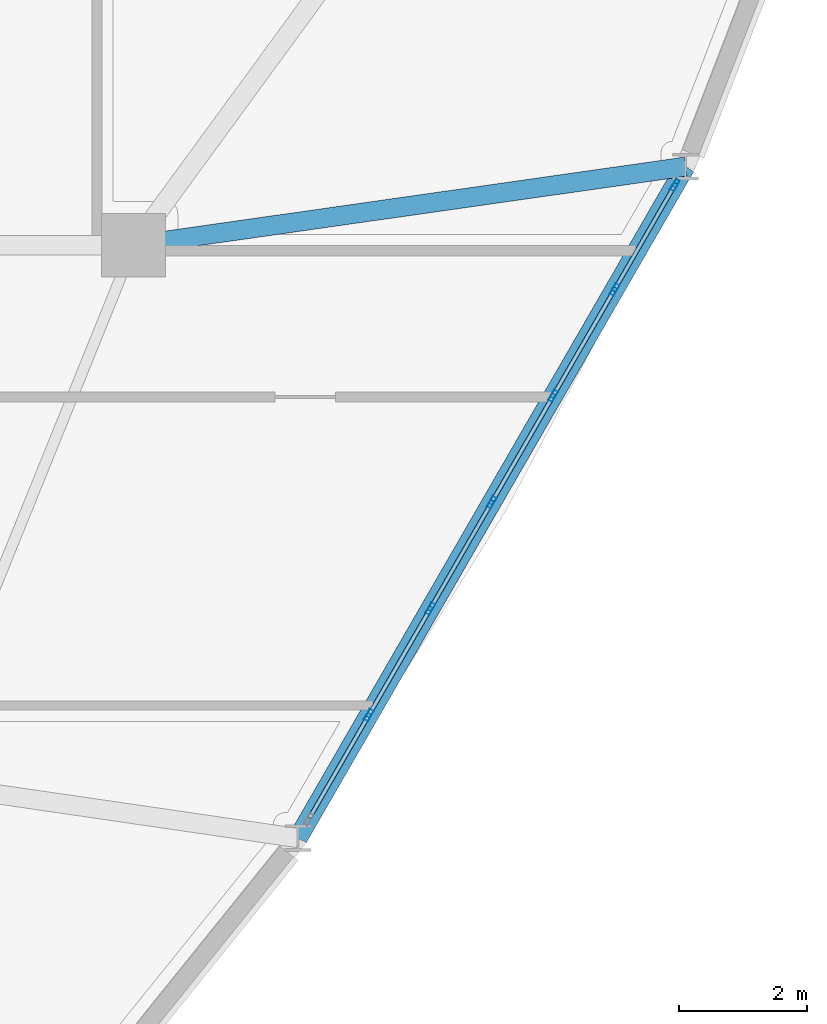
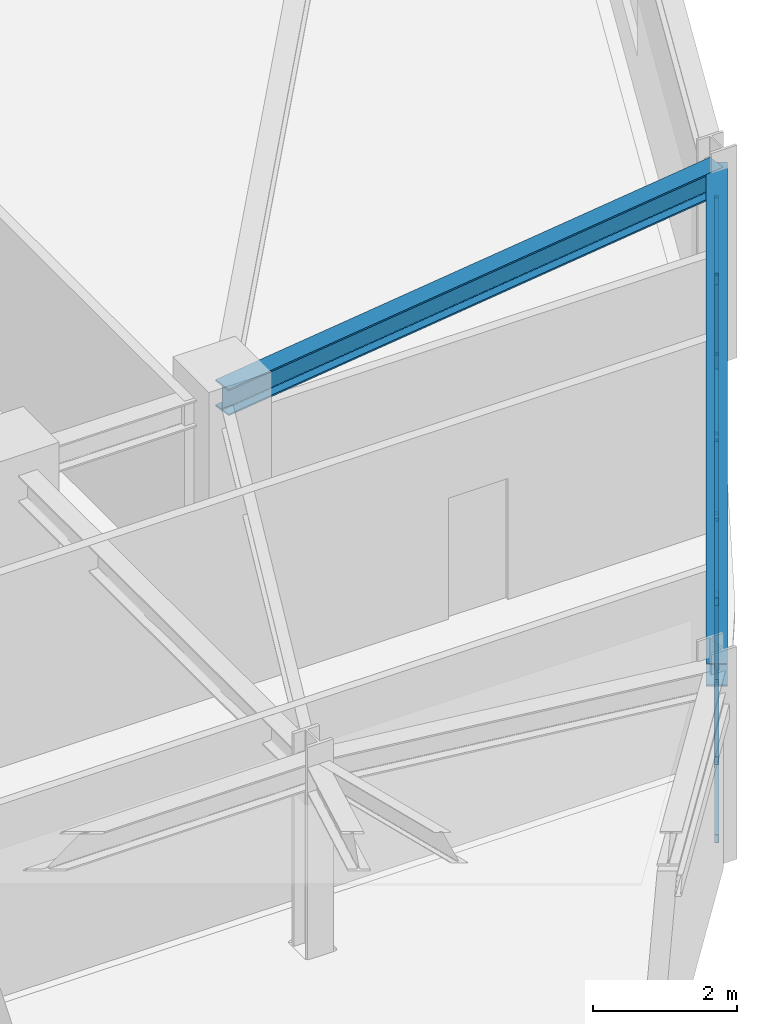
# One storey, part 7 of 16: 20 members, 2 beams, 1 element without a shape of its own.
"""IFC4 building model written with IfcOpenShell, lengths in metres."""

from ifc_helpers import new_model, si_unit, derived_unit, direction, frame, origin, origin_2d, place, context, subcontext, project, spatial, hollow_rectangle, i_section, extrude, source, transform, mapped, material, layer, layer_set, material_profile, profile_set, type_object, element, aggregate, save


model = new_model("IFC4")

# Units and contexts
model_context = context("Model", 3, precision=1e-05, world=origin(), true_north=direction((0.0, 1.0)))
body_context = subcontext(model_context, "Body", "Model", "MODEL_VIEW")
ifc_project = project(units=[si_unit("LENGTHUNIT", "METRE"), si_unit("AREAUNIT", "SQUARE_METRE"), si_unit("VOLUMEUNIT", "CUBIC_METRE"), si_unit("PLANEANGLEUNIT", "RADIAN"), si_unit("MASSUNIT", "GRAM", prefix="KILO"), derived_unit("THERMALTRANSMITTANCEUNIT", [(si_unit("POWERUNIT", "WATT"), 1), (si_unit("LENGTHUNIT", "METRE"), -2), (si_unit("THERMODYNAMICTEMPERATUREUNIT", "KELVIN"), -1)])], contexts=[model_context])

# Site, building, storey
site_placement = place(None, origin())
site = spatial("IfcSite", under=ifc_project, at=site_placement, CompositionType="ELEMENT")
building_placement = place(site_placement, origin())
building = spatial("IfcBuilding", under=site, at=building_placement, Name="Korsvarv Bourse and Concert Hall", CompositionType="ELEMENT")
storey_placement = place(building_placement, frame((0.0, 0.0, 234.60009765625)))
storey = spatial("IfcBuildingStorey", under=building, at=storey_placement, Name="L61", CompositionType="ELEMENT", Elevation=234.60009765625)

# Beams
ifc_material_1 = material(Name="Steel S355", Category="steel")
ifc_material_profile_1 = material_profile(ifc_material_1, i_section(OverallWidth=0.300048828125, OverallDepth=0.389892578125, WebThickness=0.010986328125, FlangeThickness=0.01904296875, FilletRadius=0.02099609375, at=origin_2d()), Name="HEA 400")
ifc_profile_set_1 = profile_set([ifc_material_profile_1], Name="Steel S355")
beam_type_1 = type_object("IfcBeamType", Name="BM-HEA400", PredefinedType="BEAM", material=ifc_profile_set_1)
shared_shape_1 = source(origin(), body_context, "Body", "SweptSolid", [
    extrude(i_section(OverallWidth=0.300048828125, OverallDepth=0.389892578125, WebThickness=0.010986328125, FlangeThickness=0.01904296875, FilletRadius=0.02099609375, at=origin_2d()), origin(), (0.0, 0.0, 1.0), 12.12353515625),
])
beam_1_placement = place(storey_placement, frame((50.368408203125, 23.1298828125, 3.06494140625), z_axis=(0.500000780442, 0.866024953196, 0.0), x_axis=(-0.866024953196, 0.500000780442, 0.0)))
element("IfcBeam", 1, at=beam_1_placement, inside=storey, type_object=beam_type_1, Name="L61 beam B-11", PredefinedType="BEAM", context=body_context, shape_type="MappedRepresentation", body=[
    mapped(shared_shape_1, transform((0.0, 0.0, 0.0), scale=1.0)),
])
ifc_material_profile_2 = material_profile(ifc_material_1, i_section(OverallWidth=0.300048828125, OverallDepth=0.449951171875, WebThickness=0.013916015625, FlangeThickness=0.02587890625, FilletRadius=0.02099609375, at=origin_2d()), Name="HEB 450")
ifc_profile_set_2 = profile_set([ifc_material_profile_2], Name="Steel S355")
beam_type_2 = type_object("IfcBeamType", Name="BM-HEB450", PredefinedType="SPANDREL", material=ifc_profile_set_2)
shared_shape_2 = source(origin(), body_context, "Body", "SweptSolid", [
    extrude(i_section(OverallWidth=0.300048828125, OverallDepth=0.449951171875, WebThickness=0.013916015625, FlangeThickness=0.02587890625, FilletRadius=0.02099609375, at=origin_2d()), origin(), (0.0, 0.0, 1.0), 8.71728515625),
])
beam_2_placement = place(storey_placement, frame((56.43017578125, 33.629150390625, 3.034912109375), z_axis=(-0.990007663543, -0.141013567171, 0.0), x_axis=(0.141013567171, -0.990007663543, 0.0)))
element("IfcBeam", 2, at=beam_2_placement, inside=storey, type_object=beam_type_2, Name="L61 beam B-08", PredefinedType="SPANDREL", context=body_context, shape_type="MappedRepresentation", body=[
    mapped(shared_shape_2, transform((0.0, 0.0, 0.0), scale=1.0)),
])

# Curtain wall, members
ifc_material_2 = material(Name="Anodised aluminium and triple low-E glazing", Category="glass")
ifc_layer = layer(ifc_material_2, 0.199951171875)
ifc_layer_set = layer_set([ifc_layer], Name="Anodised aluminium and triple low-E glazing")
curtain_wall_type = type_object("IfcCurtainWallType", Name="CW-SYS-3", PredefinedType="NOTDEFINED", material=ifc_layer_set)
curtain_wall_placement = place(storey_placement, origin())
curtain_wall = element("IfcCurtainWall", 3, at=curtain_wall_placement, inside=storey, type_object=curtain_wall_type, Name="L61 CW3 curtain wall CW-L61-F11", PredefinedType="NOTDEFINED")
ifc_material_3 = material(Name="Extruded aluminium EN AW-6063 T66", Category="aluminium")
ifc_material_profile_3 = material_profile(ifc_material_3, hollow_rectangle(XDim=0.06494140625, YDim=0.139892578125, WallThickness=0.00390625, at=origin_2d()), Name="ALU-T 65x140")
ifc_profile_set_3 = profile_set([ifc_material_profile_3], Name="Extruded aluminium EN AW-6063 T66")
member_type_1 = type_object("IfcMemberType", Name="CWT-140", PredefinedType="USERDEFINED", material=ifc_profile_set_3)
shared_shape_3 = source(origin(), body_context, "Body", "SweptSolid", [
    extrude(hollow_rectangle(XDim=0.06494140625, YDim=0.139892578125, WallThickness=0.00390625, at=origin_2d()), origin(), (0.0, 0.0, 1.0), 1.81640625),
])
member_1_placement = place(storey_placement, frame((50.55224609375, 23.448486328125, 0.032470703125), z_axis=(0.500013328483, 0.866017708445, 0.0), x_axis=(-0.866017708445, 0.500013328483, 0.0)))
member_1 = element("IfcMember", 4, at=member_1_placement, type_object=member_type_1, Name="CW3 transom 1.1", ObjectType="TRANSOM", PredefinedType="USERDEFINED", context=body_context, shape_type="MappedRepresentation", body=[
    mapped(shared_shape_3, transform((0.0, 0.0, 0.0), scale=1.0)),
])
member_2_placement = place(storey_placement, frame((50.55224609375, 23.448486328125, 2.83740234375), z_axis=(0.500013328483, 0.866017708445, 0.0), x_axis=(-0.866017708445, 0.500013328483, 0.0)))
member_2 = element("IfcMember", 5, at=member_2_placement, type_object=member_type_1, Name="CW3 transom 1.2", ObjectType="TRANSOM", PredefinedType="USERDEFINED", context=body_context, shape_type="MappedRepresentation", body=[
    mapped(shared_shape_3, transform((0.0, 0.0, 0.0), scale=1.0)),
])
member_3_placement = place(storey_placement, frame((55.337890625, 31.737548828125, 0.032470703125), z_axis=(0.500013328483, 0.866017708445, 0.0), x_axis=(-0.866017708445, 0.500013328483, 0.0)))
member_3 = element("IfcMember", 6, at=member_3_placement, type_object=member_type_1, Name="CW3 transom 6.1", ObjectType="TRANSOM", PredefinedType="USERDEFINED", context=body_context, shape_type="MappedRepresentation", body=[
    mapped(shared_shape_3, transform((0.0, 0.0, 0.0), scale=1.0)),
])
member_4_placement = place(storey_placement, frame((55.337890625, 31.737548828125, 2.83740234375), z_axis=(0.500013328483, 0.866017708445, 0.0), x_axis=(-0.866017708445, 0.500013328483, 0.0)))
member_4 = element("IfcMember", 7, at=member_4_placement, type_object=member_type_1, Name="CW3 transom 6.2", ObjectType="TRANSOM", PredefinedType="USERDEFINED", context=body_context, shape_type="MappedRepresentation", body=[
    mapped(shared_shape_3, transform((0.0, 0.0, 0.0), scale=1.0)),
])
shared_shape_4 = source(origin(), body_context, "Body", "SweptSolid", [
    extrude(hollow_rectangle(XDim=0.06494140625, YDim=0.139892578125, WallThickness=0.00390625, at=origin_2d()), origin(), (0.0, 0.0, 1.0), 1.851318359375),
])
member_5_placement = place(storey_placement, frame((51.495361328125, 25.08203125, 0.032470703125), z_axis=(0.500053484023, 0.865994522568, 0.0), x_axis=(-0.865994522568, 0.500053484023, 0.0)))
member_5 = element("IfcMember", 8, at=member_5_placement, type_object=member_type_1, Name="CW3 transom 2.1", ObjectType="TRANSOM", PredefinedType="USERDEFINED", context=body_context, shape_type="MappedRepresentation", body=[
    mapped(shared_shape_4, transform((0.0, 0.0, 0.0), scale=1.0)),
])
member_6_placement = place(storey_placement, frame((51.495361328125, 25.08203125, 2.83740234375), z_axis=(0.500053484023, 0.865994522568, 0.0), x_axis=(-0.865994522568, 0.500053484023, 0.0)))
member_6 = element("IfcMember", 9, at=member_6_placement, type_object=member_type_1, Name="CW3 transom 2.2", ObjectType="TRANSOM", PredefinedType="USERDEFINED", context=body_context, shape_type="MappedRepresentation", body=[
    mapped(shared_shape_4, transform((0.0, 0.0, 0.0), scale=1.0)),
])
member_7_placement = place(storey_placement, frame((52.4560546875, 26.745849609375, 0.032470703125), z_axis=(0.49995457831, 0.866051626421, 0.0), x_axis=(-0.866051626421, 0.49995457831, 0.0)))
member_7 = element("IfcMember", 10, at=member_7_placement, type_object=member_type_1, Name="CW3 transom 3.1", ObjectType="TRANSOM", PredefinedType="USERDEFINED", context=body_context, shape_type="MappedRepresentation", body=[
    mapped(shared_shape_4, transform((0.0, 0.0, 0.0), scale=1.0)),
])
member_8_placement = place(storey_placement, frame((52.4560546875, 26.745849609375, 2.83740234375), z_axis=(0.49995457831, 0.866051626421, 0.0), x_axis=(-0.866051626421, 0.49995457831, 0.0)))
member_8 = element("IfcMember", 11, at=member_8_placement, type_object=member_type_1, Name="CW3 transom 3.2", ObjectType="TRANSOM", PredefinedType="USERDEFINED", context=body_context, shape_type="MappedRepresentation", body=[
    mapped(shared_shape_4, transform((0.0, 0.0, 0.0), scale=1.0)),
])
member_9_placement = place(storey_placement, frame((53.416748046875, 28.40966796875, 0.032470703125), z_axis=(0.49995457831, 0.866051626421, 0.0), x_axis=(-0.866051626421, 0.49995457831, 0.0)))
member_9 = element("IfcMember", 12, at=member_9_placement, type_object=member_type_1, Name="CW3 transom 4.1", ObjectType="TRANSOM", PredefinedType="USERDEFINED", context=body_context, shape_type="MappedRepresentation", body=[
    mapped(shared_shape_4, transform((0.0, 0.0, 0.0), scale=1.0)),
])
member_10_placement = place(storey_placement, frame((53.416748046875, 28.40966796875, 2.83740234375), z_axis=(0.49995457831, 0.866051626421, 0.0), x_axis=(-0.866051626421, 0.49995457831, 0.0)))
member_10 = element("IfcMember", 13, at=member_10_placement, type_object=member_type_1, Name="CW3 transom 4.2", ObjectType="TRANSOM", PredefinedType="USERDEFINED", context=body_context, shape_type="MappedRepresentation", body=[
    mapped(shared_shape_4, transform((0.0, 0.0, 0.0), scale=1.0)),
])
member_11_placement = place(storey_placement, frame((54.37744140625, 30.07373046875, 0.032470703125), z_axis=(0.49995457831, 0.866051626421, 0.0), x_axis=(-0.866051626421, 0.49995457831, 0.0)))
member_11 = element("IfcMember", 14, at=member_11_placement, type_object=member_type_1, Name="CW3 transom 5.1", ObjectType="TRANSOM", PredefinedType="USERDEFINED", context=body_context, shape_type="MappedRepresentation", body=[
    mapped(shared_shape_4, transform((0.0, 0.0, 0.0), scale=1.0)),
])
member_12_placement = place(storey_placement, frame((54.37744140625, 30.07373046875, 2.83740234375), z_axis=(0.49995457831, 0.866051626421, 0.0), x_axis=(-0.866051626421, 0.49995457831, 0.0)))
member_12 = element("IfcMember", 15, at=member_12_placement, type_object=member_type_1, Name="CW3 transom 5.2", ObjectType="TRANSOM", PredefinedType="USERDEFINED", context=body_context, shape_type="MappedRepresentation", body=[
    mapped(shared_shape_4, transform((0.0, 0.0, 0.0), scale=1.0)),
])
ifc_material_profile_4 = material_profile(ifc_material_3, hollow_rectangle(XDim=0.070068359375, YDim=0.18994140625, WallThickness=0.0048828125, at=origin_2d()), Name="ALU-M 70x190")
ifc_profile_set_4 = profile_set([ifc_material_profile_4], Name="Extruded aluminium EN AW-6063 T66")
member_type_2 = type_object("IfcMemberType", Name="CWM-190", PredefinedType="MULLION", material=ifc_profile_set_4)
shared_shape_5 = source(origin(), body_context, "Body", "SweptSolid", [
    extrude(hollow_rectangle(XDim=0.070068359375, YDim=0.18994140625, WallThickness=0.0048828125, at=origin_2d()), origin(), (0.0, 0.0, 1.0), 2.869873046875),
])
member_13_placement = place(storey_placement, frame((51.47802734375, 25.0517578125, 0.0), z_axis=(0.0, 0.0, 1.0), x_axis=(-0.86602769294, 0.499996035044, 0.0)))
member_13 = element("IfcMember", 16, at=member_13_placement, type_object=member_type_2, Name="CW3 mullion 2", PredefinedType="MULLION", context=body_context, shape_type="MappedRepresentation", body=[
    mapped(shared_shape_5, transform((0.0, 0.0, 0.0), scale=1.0)),
])
member_14_placement = place(storey_placement, frame((52.4384765625, 26.715576171875, 0.0), z_axis=(0.0, 0.0, 1.0), x_axis=(-0.86602769294, 0.499996035044, 0.0)))
member_14 = element("IfcMember", 17, at=member_14_placement, type_object=member_type_2, Name="CW3 mullion 3", PredefinedType="MULLION", context=body_context, shape_type="MappedRepresentation", body=[
    mapped(shared_shape_5, transform((0.0, 0.0, 0.0), scale=1.0)),
])
member_15_placement = place(storey_placement, frame((53.399169921875, 28.37939453125, 0.0), z_axis=(0.0, 0.0, 1.0), x_axis=(-0.86602769294, 0.499996035044, 0.0)))
member_15 = element("IfcMember", 18, at=member_15_placement, type_object=member_type_2, Name="CW3 mullion 4", PredefinedType="MULLION", context=body_context, shape_type="MappedRepresentation", body=[
    mapped(shared_shape_5, transform((0.0, 0.0, 0.0), scale=1.0)),
])
member_16_placement = place(storey_placement, frame((54.35986328125, 30.043212890625, 0.0), z_axis=(0.0, 0.0, 1.0), x_axis=(-0.86602769294, 0.499996035044, 0.0)))
member_16 = element("IfcMember", 19, at=member_16_placement, type_object=member_type_2, Name="CW3 mullion 5", PredefinedType="MULLION", context=body_context, shape_type="MappedRepresentation", body=[
    mapped(shared_shape_5, transform((0.0, 0.0, 0.0), scale=1.0)),
])
member_17_placement = place(storey_placement, frame((55.320556640625, 31.707275390625, 0.0), z_axis=(0.0, 0.0, 1.0), x_axis=(-0.86602769294, 0.499996035044, 0.0)))
member_17 = element("IfcMember", 20, at=member_17_placement, type_object=member_type_2, Name="CW3 mullion 6", PredefinedType="MULLION", context=body_context, shape_type="MappedRepresentation", body=[
    mapped(shared_shape_5, transform((0.0, 0.0, 0.0), scale=1.0)),
])
member_18_placement = place(storey_placement, frame((56.263671875, 33.3408203125, 0.0), z_axis=(0.0, 0.0, 1.0), x_axis=(-0.86602769294, 0.499996035044, 0.0)))
member_18 = element("IfcMember", 21, at=member_18_placement, type_object=member_type_2, Name="CW3 mullion 7", PredefinedType="MULLION", context=body_context, shape_type="MappedRepresentation", body=[
    mapped(shared_shape_5, transform((0.0, 0.0, 0.0), scale=1.0)),
])
ifc_material_profile_5 = material_profile(ifc_material_3, hollow_rectangle(XDim=0.06494140625, YDim=0.1650390625, WallThickness=0.0048828125, at=origin_2d()), Name="ALU-M 65x165")
ifc_profile_set_5 = profile_set([ifc_material_profile_5], Name="Extruded aluminium EN AW-6063 T66")
member_type_3 = type_object("IfcMemberType", Name="CWM-165", PredefinedType="MULLION", material=ifc_profile_set_5)
shared_shape_6 = source(origin(), body_context, "Body", "SweptSolid", [
    extrude(hollow_rectangle(XDim=0.06494140625, YDim=0.1650390625, WallThickness=0.0048828125, at=origin_2d()), origin(), (0.0, 0.0, 1.0), 3.306640625),
])
member_19_placement = place(storey_placement, frame((52.4560546875, 26.745849609375, 0.06494140625), z_axis=(0.279892650572, 0.484847015644, 0.828603328244), x_axis=(-0.866051626421, 0.49995457831, 0.0)))
member_19 = element("IfcMember", 22, at=member_19_placement, type_object=member_type_3, Name="CW3 diagonal mullion 3", PredefinedType="MULLION", context=body_context, shape_type="MappedRepresentation", body=[
    mapped(shared_shape_6, transform((0.0, 0.0, 0.0), scale=1.0)),
])
shared_shape_7 = source(origin(), body_context, "Body", "SweptSolid", [
    extrude(hollow_rectangle(XDim=0.06494140625, YDim=0.1650390625, WallThickness=0.0048828125, at=origin_2d()), origin(), (0.0, 0.0, 1.0), 3.287353515625),
])
member_20_placement = place(storey_placement, frame((56.24609375, 33.310546875, 0.06494140625), z_axis=(-0.276271699249, -0.478499612436, 0.833493892654), x_axis=(0.866017708445, -0.500013328483, 0.0)))
member_20 = element("IfcMember", 23, at=member_20_placement, type_object=member_type_3, Name="CW3 diagonal mullion 6", PredefinedType="MULLION", context=body_context, shape_type="MappedRepresentation", body=[
    mapped(shared_shape_7, transform((0.0, 0.0, 0.0), scale=1.0)),
])
aggregate(curtain_wall, [member_13, member_14, member_15, member_16, member_17, member_18, member_1, member_2, member_5, member_6, member_7, member_8, member_19, member_9, member_10, member_11, member_12, member_3, member_4, member_20])

save(model, "model.ifc")
